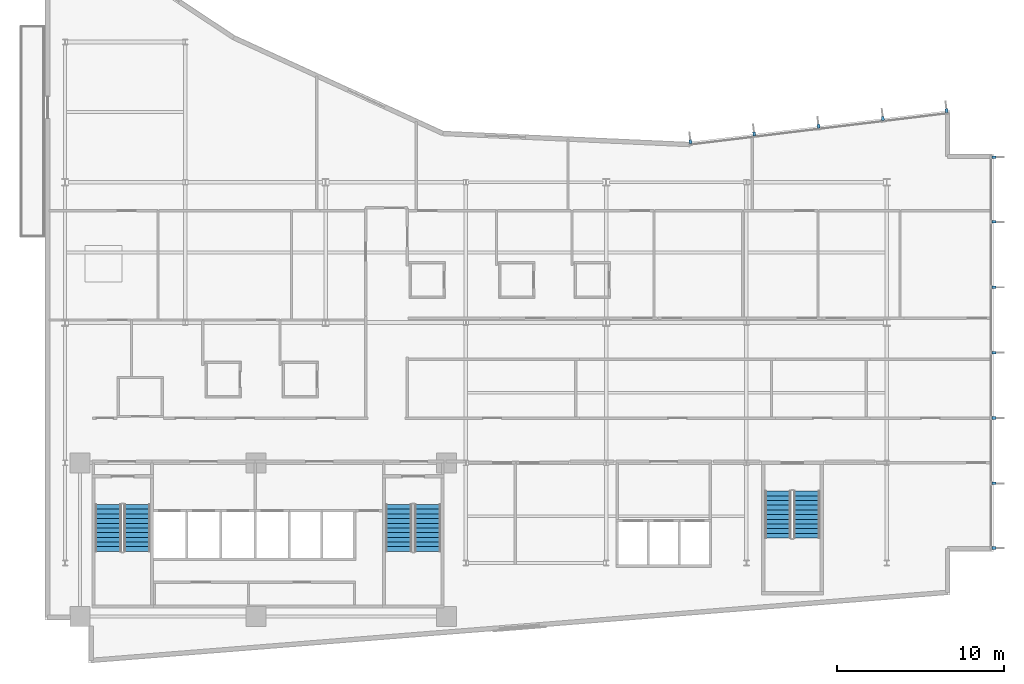
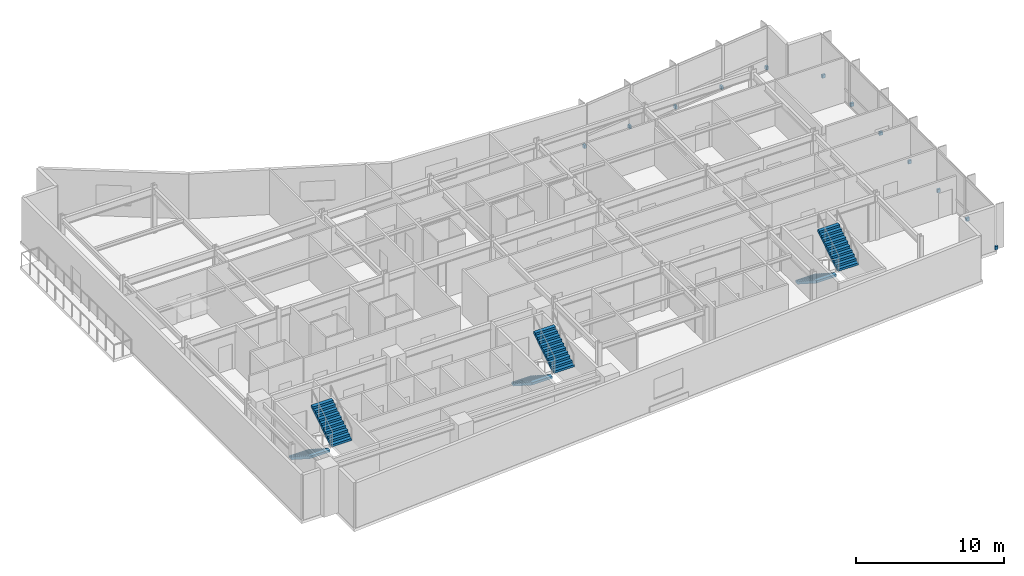
# One storey, part 14 of 19: 12 discrete accessories, 6 stair flights, 3 elements without a shape of their own.
"""IFC4 building model written with IfcOpenShell, lengths in metres."""

from ifc_helpers import new_model, si_unit, direction, frame, origin, origin_2d, place, context, subcontext, project, spatial, polyline, rectangle, outline, extrude, material, layer, layer_set, type_object, element, aggregate, save


model = new_model("IFC4")

# Units and contexts
model_context = context("Model", 3, precision=1e-05, world=origin(), true_north=direction((0.0, 1.0)))
body_context = subcontext(model_context, "Body", "Model", "MODEL_VIEW")
ifc_project = project(units=[si_unit("LENGTHUNIT", "METRE"), si_unit("AREAUNIT", "SQUARE_METRE"), si_unit("VOLUMEUNIT", "CUBIC_METRE"), si_unit("PLANEANGLEUNIT", "RADIAN"), si_unit("MASSUNIT", "GRAM", prefix="KILO")], contexts=[model_context])

# Site, building, storey
site_placement = place(None, origin())
site = spatial("IfcSite", under=ifc_project, at=site_placement, CompositionType="ELEMENT")
building_placement = place(site_placement, origin())
building = spatial("IfcBuilding", under=site, at=building_placement, Name="Varnakote Quay Hospital", CompositionType="ELEMENT")
storey_placement = place(building_placement, frame((0.0, 0.0, 162.60009765625)))
storey = spatial("IfcBuildingStorey", under=building, at=storey_placement, Name="L40", CompositionType="ELEMENT", Elevation=162.60009765625)

# Stair, stair flights
ifc_material_1 = material(Name="Concrete N40 (f'c 40 MPa)", Category="concrete")
stair_type = type_object("IfcStairType", Name="STR-CORE-1580", PredefinedType="HALF_TURN_STAIR", material=ifc_material_1)
stair_1_placement = place(storey_placement, origin())
stair_1 = element("IfcStair", 1, at=stair_1_placement, inside=storey, type_object=stair_type, Name="L40 Fire-Isolated Exit Stair ST-01", PredefinedType="HALF_TURN_STAIR")
ifc_material_2 = material(Name="Concrete N40 (f'c 40 MPa)", Category="concrete")
ifc_layer = layer(ifc_material_2, 0.159912109375)
ifc_layer_set = layer_set([ifc_layer], Name="Concrete N40 (f'c 40 MPa)")
stair_flight_type = type_object("IfcStairFlightType", Name="FLT-CORE-1580", PredefinedType="STRAIGHT", material=ifc_layer_set)
stair_flight_1_placement = place(storey_placement, frame((3.7900390625, 9.5, 0.0), z_axis=(0.0, 0.0, 1.0), x_axis=(0.0, -1.0, 0.0)))
stair_flight_1 = element("IfcStairFlight", 2, at=stair_flight_1_placement, type_object=stair_flight_type, Name="ST-01 flight 1", NumberOfRisers=11, NumberOfTreads=10, PredefinedType="STRAIGHT", RiserHeight=0.179545455, TreadLength=0.28, context=body_context, shape_type="SweptSolid", body=[
    extrude(outline(polyline([(0.0, 0.0), (0.0, 0.179443359375), (0.280029296875, 0.179443359375), (0.280029296875, 0.359130859375), (0.56005859375, 0.359130859375), (0.56005859375, 0.53857421875), (0.840087890625, 0.53857421875), (0.840087890625, 0.71826171875), (1.1201171875, 0.71826171875), (1.1201171875, 0.897705078125), (1.39990234375, 0.897705078125), (1.39990234375, 1.077392578125), (1.679931640625, 1.077392578125), (1.679931640625, 1.2568359375), (1.9599609375, 1.2568359375), (1.9599609375, 1.436279296875), (2.239990234375, 1.436279296875), (2.239990234375, 1.615966796875), (2.52001953125, 1.615966796875), (2.52001953125, 1.79541015625), (2.800048828125, 1.79541015625), (2.800048828125, 1.97509765625), (2.800048828125, 1.60546875), (0.296142578125, 0.0), (0.0, 0.0)])), frame((0.0, 0.7900390625, 0.0), z_axis=(0.0, -1.0, 0.0), x_axis=(1.0, 0.0, 0.0)), (0.0, 0.0, 1.0), 1.580078125),
])
stair_flight_2_placement = place(storey_placement, frame((5.510009765625, 6.699951171875, 1.974853515625), z_axis=(0.0, 0.0, 1.0), x_axis=(0.0, 1.0, 0.0)))
stair_flight_2 = element("IfcStairFlight", 3, at=stair_flight_2_placement, type_object=stair_flight_type, Name="ST-01 flight 2", NumberOfRisers=11, NumberOfTreads=10, PredefinedType="STRAIGHT", RiserHeight=0.179545455, TreadLength=0.28, context=body_context, shape_type="SweptSolid", body=[
    extrude(outline(polyline([(0.0, 0.0), (0.0, 0.179443359375), (0.280029296875, 0.179443359375), (0.280029296875, 0.359130859375), (0.56005859375, 0.359130859375), (0.56005859375, 0.53857421875), (0.840087890625, 0.53857421875), (0.840087890625, 0.71826171875), (1.1201171875, 0.71826171875), (1.1201171875, 0.897705078125), (1.39990234375, 0.897705078125), (1.39990234375, 1.077392578125), (1.679931640625, 1.077392578125), (1.679931640625, 1.2568359375), (1.9599609375, 1.2568359375), (1.9599609375, 1.436279296875), (2.239990234375, 1.436279296875), (2.239990234375, 1.615966796875), (2.52001953125, 1.615966796875), (2.52001953125, 1.79541015625), (2.800048828125, 1.79541015625), (2.800048828125, 1.97509765625), (2.800048828125, 1.60546875), (0.296142578125, 0.0), (0.0, 0.0)])), frame((0.0, 0.7900390625, 0.0), z_axis=(0.0, -1.0, 0.0), x_axis=(1.0, 0.0, 0.0)), (0.0, 0.0, 1.0), 1.580078125),
])
aggregate(stair_1, [stair_flight_1, stair_flight_2])

stair_2_placement = place(storey_placement, origin())
stair_2 = element("IfcStair", 4, at=stair_2_placement, inside=storey, type_object=stair_type, Name="L40 Fire-Isolated Exit Stair ST-02", PredefinedType="HALF_TURN_STAIR")
stair_flight_3_placement = place(storey_placement, frame((21.18994140625, 9.5, 0.0), z_axis=(0.0, 0.0, 1.0), x_axis=(0.0, -1.0, 0.0)))
stair_flight_3 = element("IfcStairFlight", 5, at=stair_flight_3_placement, type_object=stair_flight_type, Name="ST-02 flight 1", NumberOfRisers=11, NumberOfTreads=10, PredefinedType="STRAIGHT", RiserHeight=0.179545455, TreadLength=0.28, context=body_context, shape_type="SweptSolid", body=[
    extrude(outline(polyline([(0.0, 0.0), (0.0, 0.179443359375), (0.280029296875, 0.179443359375), (0.280029296875, 0.359130859375), (0.56005859375, 0.359130859375), (0.56005859375, 0.53857421875), (0.840087890625, 0.53857421875), (0.840087890625, 0.71826171875), (1.1201171875, 0.71826171875), (1.1201171875, 0.897705078125), (1.39990234375, 0.897705078125), (1.39990234375, 1.077392578125), (1.679931640625, 1.077392578125), (1.679931640625, 1.2568359375), (1.9599609375, 1.2568359375), (1.9599609375, 1.436279296875), (2.239990234375, 1.436279296875), (2.239990234375, 1.615966796875), (2.52001953125, 1.615966796875), (2.52001953125, 1.79541015625), (2.800048828125, 1.79541015625), (2.800048828125, 1.97509765625), (2.800048828125, 1.60546875), (0.296142578125, 0.0), (0.0, 0.0)])), frame((0.0, 0.7900390625, 0.0), z_axis=(0.0, -1.0, 0.0), x_axis=(1.0, 0.0, 0.0)), (0.0, 0.0, 1.0), 1.580078125),
])
stair_flight_4_placement = place(storey_placement, frame((22.909912109375, 6.699951171875, 1.974853515625), z_axis=(0.0, 0.0, 1.0), x_axis=(0.0, 1.0, 0.0)))
stair_flight_4 = element("IfcStairFlight", 6, at=stair_flight_4_placement, type_object=stair_flight_type, Name="ST-02 flight 2", NumberOfRisers=11, NumberOfTreads=10, PredefinedType="STRAIGHT", RiserHeight=0.179545455, TreadLength=0.28, context=body_context, shape_type="SweptSolid", body=[
    extrude(outline(polyline([(0.0, 0.0), (0.0, 0.179443359375), (0.280029296875, 0.179443359375), (0.280029296875, 0.359130859375), (0.56005859375, 0.359130859375), (0.56005859375, 0.53857421875), (0.840087890625, 0.53857421875), (0.840087890625, 0.71826171875), (1.1201171875, 0.71826171875), (1.1201171875, 0.897705078125), (1.39990234375, 0.897705078125), (1.39990234375, 1.077392578125), (1.679931640625, 1.077392578125), (1.679931640625, 1.2568359375), (1.9599609375, 1.2568359375), (1.9599609375, 1.436279296875), (2.239990234375, 1.436279296875), (2.239990234375, 1.615966796875), (2.52001953125, 1.615966796875), (2.52001953125, 1.79541015625), (2.800048828125, 1.79541015625), (2.800048828125, 1.97509765625), (2.800048828125, 1.60546875), (0.296142578125, 0.0), (0.0, 0.0)])), frame((0.0, 0.7900390625, 0.0), z_axis=(0.0, -1.0, 0.0), x_axis=(1.0, 0.0, 0.0)), (0.0, 0.0, 1.0), 1.580078125),
])
aggregate(stair_2, [stair_flight_3, stair_flight_4])

stair_3_placement = place(storey_placement, origin())
stair_3 = element("IfcStair", 7, at=stair_3_placement, inside=storey, type_object=stair_type, Name="L40 Fire-Isolated Exit Stair ST-03", PredefinedType="HALF_TURN_STAIR")
stair_flight_5_placement = place(storey_placement, frame((43.889892578125, 10.300048828125, 0.0), z_axis=(0.0, 0.0, 1.0), x_axis=(0.0, -1.0, 0.0)))
stair_flight_5 = element("IfcStairFlight", 8, at=stair_flight_5_placement, type_object=stair_flight_type, Name="ST-03 flight 1", NumberOfRisers=11, NumberOfTreads=10, PredefinedType="STRAIGHT", RiserHeight=0.179545455, TreadLength=0.28, context=body_context, shape_type="SweptSolid", body=[
    extrude(outline(polyline([(0.0, 0.0), (0.0, 0.179443359375), (0.280029296875, 0.179443359375), (0.280029296875, 0.359130859375), (0.56005859375, 0.359130859375), (0.56005859375, 0.53857421875), (0.840087890625, 0.53857421875), (0.840087890625, 0.71826171875), (1.1201171875, 0.71826171875), (1.1201171875, 0.897705078125), (1.39990234375, 0.897705078125), (1.39990234375, 1.077392578125), (1.679931640625, 1.077392578125), (1.679931640625, 1.2568359375), (1.9599609375, 1.2568359375), (1.9599609375, 1.436279296875), (2.239990234375, 1.436279296875), (2.239990234375, 1.615966796875), (2.52001953125, 1.615966796875), (2.52001953125, 1.79541015625), (2.800048828125, 1.79541015625), (2.800048828125, 1.97509765625), (2.800048828125, 1.60546875), (0.296142578125, 0.0), (0.0, 0.0)])), frame((0.0, 0.7900390625, 0.0), z_axis=(0.0, -1.0, 0.0), x_axis=(1.0, 0.0, 0.0)), (0.0, 0.0, 1.0), 1.580078125),
])
stair_flight_6_placement = place(storey_placement, frame((45.610107421875, 7.5, 1.974853515625), z_axis=(0.0, 0.0, 1.0), x_axis=(0.0, 1.0, 0.0)))
stair_flight_6 = element("IfcStairFlight", 9, at=stair_flight_6_placement, type_object=stair_flight_type, Name="ST-03 flight 2", NumberOfRisers=11, NumberOfTreads=10, PredefinedType="STRAIGHT", RiserHeight=0.179545455, TreadLength=0.28, context=body_context, shape_type="SweptSolid", body=[
    extrude(outline(polyline([(0.0, 0.0), (0.0, 0.179443359375), (0.280029296875, 0.179443359375), (0.280029296875, 0.359130859375), (0.56005859375, 0.359130859375), (0.56005859375, 0.53857421875), (0.840087890625, 0.53857421875), (0.840087890625, 0.71826171875), (1.1201171875, 0.71826171875), (1.1201171875, 0.897705078125), (1.39990234375, 0.897705078125), (1.39990234375, 1.077392578125), (1.679931640625, 1.077392578125), (1.679931640625, 1.2568359375), (1.9599609375, 1.2568359375), (1.9599609375, 1.436279296875), (2.239990234375, 1.436279296875), (2.239990234375, 1.615966796875), (2.52001953125, 1.615966796875), (2.52001953125, 1.79541015625), (2.800048828125, 1.79541015625), (2.800048828125, 1.97509765625), (2.800048828125, 1.60546875), (0.296142578125, 0.0), (0.0, 0.0)])), frame((0.0, 0.7900390625, 0.0), z_axis=(0.0, -1.0, 0.0), x_axis=(1.0, 0.0, 0.0)), (0.0, 0.0, 1.0), 1.580078125),
])
aggregate(stair_3, [stair_flight_5, stair_flight_6])

# Discrete accessories
ifc_material_3 = material(Name="Anodised aluminium 6063-T6 Bronze", Category="aluminium")
discrete_accessory_type = type_object("IfcDiscreteAccessoryType", Name="ACC-FIN-BRACKET-180", PredefinedType="BRACKET", material=ifc_material_3)
for number, where, z_axis, x_axis, name in (
    (10, (56.81005859375, 6.8974609375, 0.0), (0.0, 0.0, 1.0), (0.0, 1.0, 0.0), "L40 Curtain Wall Fin Fixing Bracket"),
    (11, (56.81005859375, 10.773193359375, 0.0), (0.0, 0.0, 1.0), (0.0, 1.0, 0.0), "L40 Curtain Wall Fin Fixing Bracket"),
    (12, (56.81005859375, 14.686767578125, 0.0), (0.0, 0.0, 1.0), (0.0, 1.0, 0.0), "L40 Curtain Wall Fin Fixing Bracket"),
    (13, (56.81005859375, 18.60009765625, 0.0), (0.0, 0.0, 1.0), (0.0, 1.0, 0.0), "L40 Curtain Wall Fin Fixing Bracket"),
    (14, (56.81005859375, 22.51318359375, 0.0), (0.0, 0.0, 1.0), (0.0, 1.0, 0.0), "L40 Curtain Wall Fin Fixing Bracket"),
    (15, (56.81005859375, 26.4267578125, 0.0), (0.0, 0.0, 1.0), (0.0, 1.0, 0.0), "L40 Curtain Wall Fin Fixing Bracket"),
    (16, (56.81005859375, 30.302490234375, 0.0), (0.0, 0.0, 1.0), (0.0, 1.0, 0.0), "L40 Curtain Wall Fin Fixing Bracket"),
    (17, (53.982421875, 33.083740234375, 0.0), (0.0, 0.0, 1.0), (-0.992736358975, -0.120310105847, 0.0), "L40 Curtain Wall Fin Fixing Bracket"),
    (18, (50.1669921875, 32.62109375, 0.0), (0.0, 0.0, 1.0), (-0.992736358975, -0.120310105847, 0.0), "L40 Curtain Wall Fin Fixing Bracket"),
    (19, (46.314697265625, 32.154296875, 0.0), (0.0, 0.0, 1.0), (-0.992736358975, -0.120310105847, 0.0), "L40 Curtain Wall Fin Fixing Bracket"),
    (20, (42.462158203125, 31.687255859375, 0.0), (0.0, 0.0, 1.0), (-0.992736358975, -0.120310105847, 0.0), "L40 Curtain Wall Fin Fixing Bracket"),
    (21, (38.64697265625, 31.224853515625, 0.0), (0.0, 0.0, 1.0), (-0.992736358975, -0.120310105847, 0.0), "L40 Curtain Wall Fin Fixing Bracket"),
):
    element("IfcDiscreteAccessory", number, at=place(storey_placement, frame(where, z_axis=z_axis, x_axis=x_axis)), inside=storey, type_object=discrete_accessory_type, Name=name, PredefinedType="BRACKET", context=body_context, shape_type="SweptSolid", body=[
        extrude(rectangle(XDim=0.159912109375, YDim=0.239990234375, at=origin_2d()), origin(), (0.0, 0.0, 1.0), 0.280029296875),
    ])

save(model, "model.ifc")
